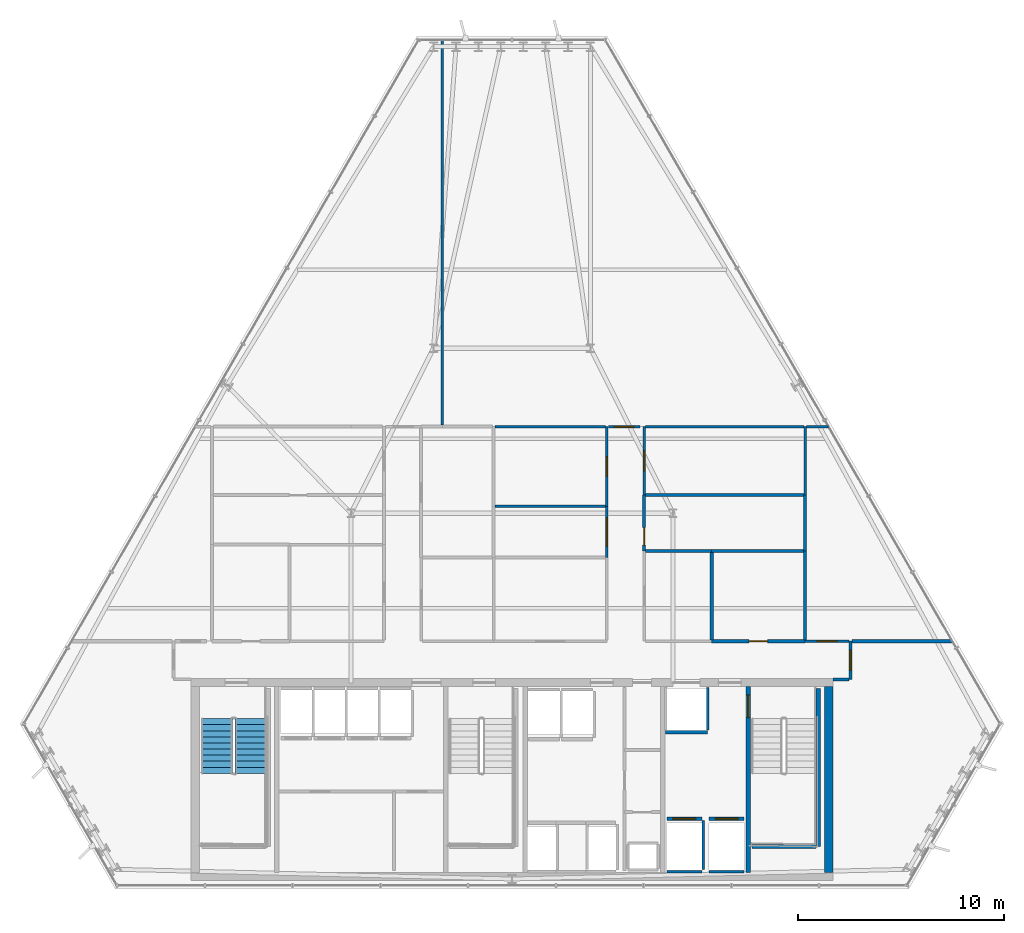
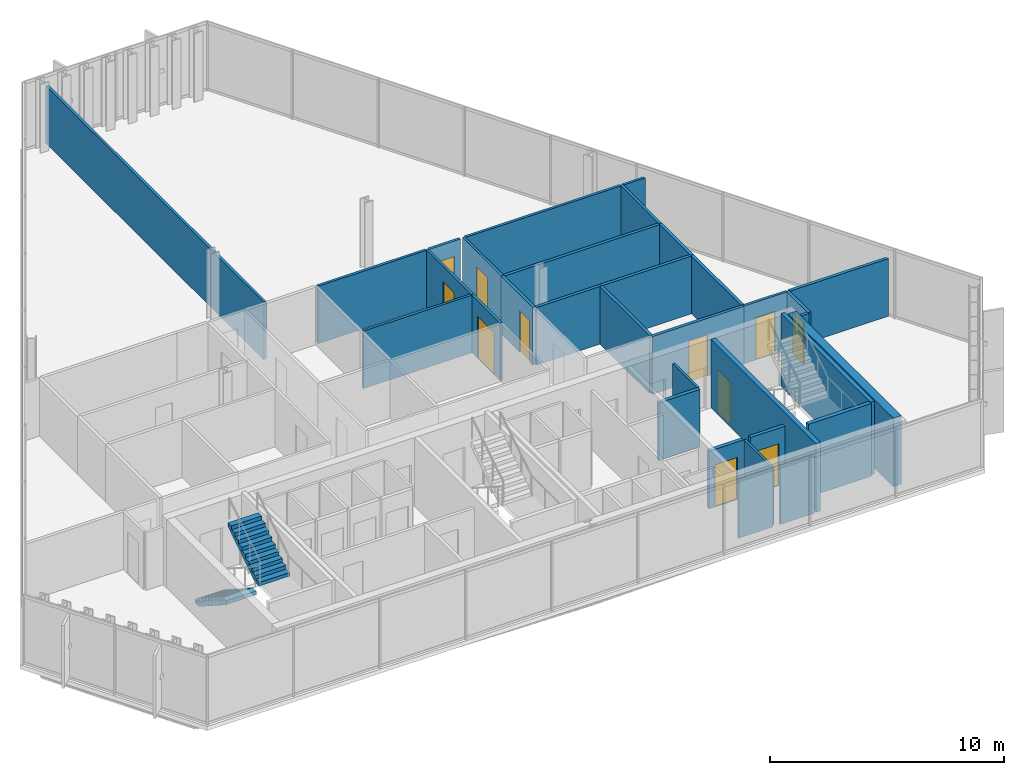
# One storey, part 29 of 34: 33 walls, 11 doors, 2 stair flights, 11 openings, 1 element without a shape of its own.
"""IFC4 building model written with IfcOpenShell, lengths in metres."""

from ifc_helpers import new_model, si_unit, direction, frame, frame_2d, origin, place, context, subcontext, project, spatial, polyline, rectangle, outline, extrude, material, layer, layer_set, type_object, element, fill, aggregate, save


model = new_model("IFC4")

# Units and contexts
model_context = context("Model", 3, precision=1e-05, world=origin(), true_north=direction((0.0, 1.0)))
body_context = subcontext(model_context, "Body", "Model", "MODEL_VIEW")
ifc_project = project(units=[si_unit("LENGTHUNIT", "METRE"), si_unit("AREAUNIT", "SQUARE_METRE"), si_unit("VOLUMEUNIT", "CUBIC_METRE"), si_unit("PLANEANGLEUNIT", "RADIAN"), si_unit("MASSUNIT", "GRAM", prefix="KILO")], contexts=[model_context])

# Site, building, storey
site_placement = place(None, origin())
site = spatial("IfcSite", under=ifc_project, at=site_placement, CompositionType="ELEMENT")
building_placement = place(site_placement, origin())
building = spatial("IfcBuilding", under=site, at=building_placement, Name="Ndaravel Arena Tower", CompositionType="ELEMENT")
storey_placement = place(building_placement, frame((0.0, 0.0, 195.39990234375)))
storey = spatial("IfcBuildingStorey", under=building, at=storey_placement, Name="L47", CompositionType="ELEMENT", Elevation=195.39990234375)

# Wall, opening, door
ifc_material_1 = material(Name="Concrete C50/60", Category="concrete")
ifc_layer_1 = layer(ifc_material_1, 0.219970703125)
ifc_layer_set_1 = layer_set([ifc_layer_1], Name="Concrete C50/60")
wall_type_1 = type_object("IfcWallType", Name="WALL-CORE-220", PredefinedType="SOLIDWALL", material=ifc_layer_set_1)
wall_1_placement = place(storey_placement, frame((53.449951171875, 5.800048828125, 0.0), z_axis=(0.0, 0.0, 1.0), x_axis=(0.0, 1.0, 0.0)))
wall_1 = element("IfcWall", 1, at=wall_1_placement, inside=storey, type_object=wall_type_1, Name="L47 Core Web Shear Wall 5", PredefinedType="SOLIDWALL", context=body_context, shape_type="SweptSolid", body=[
    extrude(rectangle(XDim=9.0, YDim=0.219970703125, at=frame_2d((4.5, 0.0))), origin(), (0.0, 0.0, 1.0), 3.580078125),
])
opening_1_placement = place(wall_1_placement, frame((7.5, 0.0, 0.0)))
opening_1 = element("IfcOpeningElement", 2, at=opening_1_placement, cuts=wall_1, Name="Opening FD-01", PredefinedType="OPENING", context=body_context, shape_type="SweptSolid", body=[
    extrude(rectangle(XDim=1.10009765625, YDim=2.199951171875, at=frame_2d((0.550048828125, 1.10009765625))), frame((0.0, 0.10986328125, 0.0), z_axis=(0.0, -1.0, 0.0), x_axis=(1.0, 0.0, 0.0)), (0.0, 0.0, 1.0), 0.219970703125),
])
ifc_material_2 = material(Name="Steel S355", Category="steel")
door_type_1 = type_object("IfcDoorType", Name="DT-01-STAIR-1100", OperationType="SINGLE_SWING_LEFT", PredefinedType="DOOR", material=ifc_material_2)
door_1_placement = place(opening_1_placement, origin())
door_1 = element("IfcDoor", 3, at=door_1_placement, inside=storey, type_object=door_type_1, Name="L47 Firefighting Lobby to ST-3 Door", OperationType="SINGLE_SWING_LEFT", OverallHeight=2.199951171875, OverallWidth=1.10009765625, PredefinedType="DOOR", context=body_context, shape_type="SweptSolid", body=[
    extrude(rectangle(XDim=1.10009765625, YDim=2.199951171875, at=frame_2d((0.550048828125, 1.10009765625))), frame((0.0, 0.02490234375, 0.0), z_axis=(0.0, -1.0, 0.0), x_axis=(1.0, 0.0, 0.0)), (0.0, 0.0, 1.0), 0.050048828125),
])
fill(opening_1, door_1)

# Wall
ifc_material_3 = material(Name="Concrete C50/60", Category="concrete")
ifc_layer_2 = layer(ifc_material_3, 0.39990234375)
ifc_layer_set_2 = layer_set([ifc_layer_2], Name="Concrete C50/60")
wall_type_2 = type_object("IfcWallType", Name="WALL-CORE-400", PredefinedType="SOLIDWALL", material=ifc_layer_set_2)
wall_2_placement = place(storey_placement, frame((57.35009765625, 5.800048828125, 0.0), z_axis=(0.0, 0.0, 1.0), x_axis=(0.0, 1.0, 0.0)))
element("IfcWall", 4, at=wall_2_placement, inside=storey, type_object=wall_type_2, Name="L47 Core East Shear Wall", PredefinedType="SOLIDWALL", context=body_context, shape_type="SweptSolid", body=[
    extrude(rectangle(XDim=9.0, YDim=0.39990234375, at=frame_2d((4.5, 0.0))), origin(), (0.0, 0.0, 1.0), 3.580078125),
])

# Wall, opening, door
ifc_material_4 = material(Name="Gypsum", Category="gypsum")
ifc_layer_3 = layer(ifc_material_4, 0.125)
ifc_layer_set_3 = layer_set([ifc_layer_3], Name="Gypsum")
wall_type_3 = type_object("IfcWallType", Name="WALL-PART-125", PredefinedType="PARTITIONING", material=ifc_layer_set_3)
wall_3_placement = place(storey_placement, frame((46.60009765625, 21.055908203125, 0.0), z_axis=(0.0, 0.0, 1.0), x_axis=(0.0, 1.0, 0.0)))
wall_3 = element("IfcWall", 5, at=wall_3_placement, inside=storey, type_object=wall_type_3, Name="L47 Interior Partition 017", PredefinedType="PARTITIONING", context=body_context, shape_type="SweptSolid", body=[
    extrude(rectangle(XDim=2.474365234375, YDim=0.125, at=frame_2d((1.2373046875, 0.0))), origin(), (0.0, 0.0, 1.0), 3.010498046875),
])
opening_2_placement = place(wall_3_placement, frame((0.537109375, 0.0, 0.0)))
opening_2 = element("IfcOpeningElement", 6, at=opening_2_placement, cuts=wall_3, Name="Opening ID-02", PredefinedType="OPENING", context=body_context, shape_type="SweptSolid", body=[
    extrude(rectangle(XDim=1.39990234375, YDim=2.199951171875, at=frame_2d((0.699951171875, 1.10009765625))), frame((0.0, 0.0625, 0.0), z_axis=(0.0, -1.0, 0.0), x_axis=(1.0, 0.0, 0.0)), (0.0, 0.0, 1.0), 0.125),
])
ifc_material_5 = material(Name="Timber", Category="wood")
door_type_2 = type_object("IfcDoorType", Name="DT-04-SUITE-1400", OperationType="DOUBLE_DOOR_SINGLE_SWING", PredefinedType="DOOR", material=ifc_material_5)
door_2_placement = place(opening_2_placement, origin())
door_2 = element("IfcDoor", 7, at=door_2_placement, inside=storey, type_object=door_type_2, Name="L47 Executive Dining Lounge 4 Door", OperationType="SINGLE_SWING_RIGHT", OverallHeight=2.199951171875, OverallWidth=1.39990234375, PredefinedType="DOOR", context=body_context, shape_type="SweptSolid", body=[
    extrude(rectangle(XDim=1.39990234375, YDim=2.199951171875, at=frame_2d((0.699951171875, 1.10009765625))), frame((0.0, 0.02490234375, 0.0), z_axis=(0.0, -1.0, 0.0), x_axis=(1.0, 0.0, 0.0)), (0.0, 0.0, 1.0), 0.050048828125),
])
fill(opening_2, door_2)

wall_4_placement = place(storey_placement, frame((46.60009765625, 23.5302734375, 0.0), z_axis=(0.0, 0.0, 1.0), x_axis=(0.0, 1.0, 0.0)))
wall_4 = element("IfcWall", 8, at=wall_4_placement, inside=storey, type_object=wall_type_3, Name="L47 Interior Partition 018", PredefinedType="PARTITIONING", context=body_context, shape_type="SweptSolid", body=[
    extrude(rectangle(XDim=3.86962890625, YDim=0.125, at=frame_2d((1.934814453125, 0.0))), origin(), (0.0, 0.0, 1.0), 3.010498046875),
])
opening_3_placement = place(wall_4_placement, frame((1.4599609375, 0.0, 0.0)))
opening_3 = element("IfcOpeningElement", 9, at=opening_3_placement, cuts=wall_4, Name="Opening ID-01", PredefinedType="OPENING", context=body_context, shape_type="SweptSolid", body=[
    extrude(rectangle(XDim=0.949951171875, YDim=2.199951171875, at=frame_2d((0.47509765625, 1.10009765625))), frame((0.0, 0.0625, 0.0), z_axis=(0.0, -1.0, 0.0), x_axis=(1.0, 0.0, 0.0)), (0.0, 0.0, 1.0), 0.125),
])
ifc_material_6 = material(Name="Timber", Category="wood")
door_type_3 = type_object("IfcDoorType", Name="DT-03-OFFICE-950", OperationType="SINGLE_SWING_LEFT", PredefinedType="DOOR", material=ifc_material_6)
door_3_placement = place(opening_3_placement, origin())
door_3 = element("IfcDoor", 10, at=door_3_placement, inside=storey, type_object=door_type_3, Name="L47 Hospitality Sitting Room 6 Door", OperationType="SINGLE_SWING_RIGHT", OverallHeight=2.199951171875, OverallWidth=0.949951171875, PredefinedType="DOOR", context=body_context, shape_type="SweptSolid", body=[
    extrude(rectangle(XDim=0.949951171875, YDim=2.199951171875, at=frame_2d((0.47509765625, 1.10009765625))), frame((0.0, 0.02490234375, 0.0), z_axis=(0.0, -1.0, 0.0), x_axis=(1.0, 0.0, 0.0)), (0.0, 0.0, 1.0), 0.050048828125),
])
fill(opening_3, door_3)

wall_5_placement = place(storey_placement, frame((46.6650390625, 27.39990234375, 0.0), z_axis=(0.0, 0.0, 1.0), x_axis=(1.0, 0.0, 0.0)))
wall_5 = element("IfcWall", 11, at=wall_5_placement, inside=storey, type_object=wall_type_3, Name="L47 Interior Partition 019", PredefinedType="PARTITIONING", context=body_context, shape_type="SweptSolid", body=[
    extrude(rectangle(XDim=1.534912109375, YDim=0.125, at=frame_2d((0.767578125, 0.0))), origin(), (0.0, 0.0, 1.0), 3.010498046875),
])
opening_4_placement = place(wall_5_placement, frame((0.29248046875, 0.0, 0.0)))
opening_4 = element("IfcOpeningElement", 12, at=opening_4_placement, cuts=wall_5, Name="Opening ID-01", PredefinedType="OPENING", context=body_context, shape_type="SweptSolid", body=[
    extrude(rectangle(XDim=0.949951171875, YDim=2.199951171875, at=frame_2d((0.47509765625, 1.10009765625))), frame((0.0, 0.0625, 0.0), z_axis=(0.0, -1.0, 0.0), x_axis=(1.0, 0.0, 0.0)), (0.0, 0.0, 1.0), 0.125),
])
door_4_placement = place(opening_4_placement, origin())
door_4 = element("IfcDoor", 13, at=door_4_placement, inside=storey, type_object=door_type_3, Name="L47 Executive Dining Lounge 8 Door", OperationType="SINGLE_SWING_RIGHT", OverallHeight=2.199951171875, OverallWidth=0.949951171875, PredefinedType="DOOR", context=body_context, shape_type="SweptSolid", body=[
    extrude(rectangle(XDim=0.949951171875, YDim=2.199951171875, at=frame_2d((0.47509765625, 1.10009765625))), frame((0.0, 0.02490234375, 0.0), z_axis=(0.0, -1.0, 0.0), x_axis=(1.0, 0.0, 0.0)), (0.0, 0.0, 1.0), 0.050048828125),
])
fill(opening_4, door_4)

wall_6_placement = place(storey_placement, frame((48.39990234375, 27.39990234375, 0.0), z_axis=(0.0, 0.0, 1.0), x_axis=(0.0, -1.0, 0.0)))
wall_6 = element("IfcWall", 14, at=wall_6_placement, inside=storey, type_object=wall_type_3, Name="L47 Interior Partition 020", PredefinedType="PARTITIONING", context=body_context, shape_type="SweptSolid", body=[
    extrude(rectangle(XDim=3.3173828125, YDim=0.125, at=frame_2d((1.65869140625, 0.0))), origin(), (0.0, 0.0, 1.0), 3.010498046875),
])
opening_5_placement = place(wall_6_placement, frame((1.183837890625, 0.0, 0.0)))
opening_5 = element("IfcOpeningElement", 15, at=opening_5_placement, cuts=wall_6, Name="Opening ID-01", PredefinedType="OPENING", context=body_context, shape_type="SweptSolid", body=[
    extrude(rectangle(XDim=0.949951171875, YDim=2.199951171875, at=frame_2d((0.47509765625, 1.10009765625))), frame((0.0, 0.0625, 0.0), z_axis=(0.0, -1.0, 0.0), x_axis=(1.0, 0.0, 0.0)), (0.0, 0.0, 1.0), 0.125),
])
door_5_placement = place(opening_5_placement, origin())
door_5 = element("IfcDoor", 16, at=door_5_placement, inside=storey, type_object=door_type_3, Name="L47 Quiet Study Room 7 Door", OperationType="SINGLE_SWING_RIGHT", OverallHeight=2.199951171875, OverallWidth=0.949951171875, PredefinedType="DOOR", context=body_context, shape_type="SweptSolid", body=[
    extrude(rectangle(XDim=0.949951171875, YDim=2.199951171875, at=frame_2d((0.47509765625, 1.10009765625))), frame((0.0, 0.02490234375, 0.0), z_axis=(0.0, -1.0, 0.0), x_axis=(1.0, 0.0, 0.0)), (0.0, 0.0, 1.0), 0.050048828125),
])
fill(opening_5, door_5)

wall_7_placement = place(storey_placement, frame((56.199951171875, 17.0, 0.0), z_axis=(0.0, 0.0, 1.0), x_axis=(1.0, 0.0, 0.0)))
wall_7 = element("IfcWall", 17, at=wall_7_placement, inside=storey, type_object=wall_type_3, Name="L47 Interior Partition 025", PredefinedType="PARTITIONING", context=body_context, shape_type="SweptSolid", body=[
    extrude(rectangle(XDim=2.135009765625, YDim=0.125, at=frame_2d((1.0673828125, 0.0))), origin(), (0.0, 0.0, 1.0), 3.010498046875),
])
opening_6_placement = place(wall_7_placement, frame((0.592529296875, 0.0, 0.0)))
opening_6 = element("IfcOpeningElement", 18, at=opening_6_placement, cuts=wall_7, Name="Opening ID-01", PredefinedType="OPENING", context=body_context, shape_type="SweptSolid", body=[
    extrude(rectangle(XDim=0.949951171875, YDim=2.199951171875, at=frame_2d((0.47509765625, 1.10009765625))), frame((0.0, 0.0625, 0.0), z_axis=(0.0, -1.0, 0.0), x_axis=(1.0, 0.0, 0.0)), (0.0, 0.0, 1.0), 0.125),
])
door_6_placement = place(opening_6_placement, origin())
door_6 = element("IfcDoor", 19, at=door_6_placement, inside=storey, type_object=door_type_3, Name="L47 Barista Galley 3 Door", OperationType="SINGLE_SWING_LEFT", OverallHeight=2.199951171875, OverallWidth=0.949951171875, PredefinedType="DOOR", context=body_context, shape_type="SweptSolid", body=[
    extrude(rectangle(XDim=0.949951171875, YDim=2.199951171875, at=frame_2d((0.47509765625, 1.10009765625))), frame((0.0, 0.02490234375, 0.0), z_axis=(0.0, -1.0, 0.0), x_axis=(1.0, 0.0, 0.0)), (0.0, 0.0, 1.0), 0.050048828125),
])
fill(opening_6, door_6)

# Walls
wall_8_placement = place(storey_placement, frame((56.199951171875, 24.08251953125, 0.0), z_axis=(0.0, 0.0, 1.0), x_axis=(0.0, 1.0, 0.0)))
element("IfcWall", 20, at=wall_8_placement, inside=storey, type_object=wall_type_3, Name="L47 Interior Partition 042", PredefinedType="PARTITIONING", context=body_context, shape_type="SweptSolid", body=[
    extrude(rectangle(XDim=3.3173828125, YDim=0.125, at=frame_2d((1.65869140625, 0.0))), origin(), (0.0, 0.0, 1.0), 3.010498046875),
])
wall_9_placement = place(storey_placement, frame((56.264892578125, 27.39990234375, 0.0), z_axis=(0.0, 0.0, 1.0), x_axis=(1.0, 0.0, 0.0)))
element("IfcWall", 21, at=wall_9_placement, inside=storey, type_object=wall_type_3, Name="L47 Interior Partition 043", PredefinedType="PARTITIONING", context=body_context, shape_type="SweptSolid", body=[
    extrude(rectangle(XDim=1.069580078125, YDim=0.125, at=frame_2d((0.53466796875, 0.0))), origin(), (0.0, 0.0, 1.0), 3.010498046875),
])
for number, where, z_axis, x_axis, name in (
    (22, (41.175048828125, 23.5302734375, 0.0), (0.0, 0.0, 1.0), (1.0, 0.0, 0.0), "L47 Interior Partition 045"),
    (23, (41.175048828125, 27.39990234375, 0.0), (0.0, 0.0, 1.0), (1.0, 0.0, 0.0), "L47 Interior Partition 051"),
):
    element("IfcWall", number, at=place(storey_placement, frame(where, z_axis=z_axis, x_axis=x_axis)), inside=storey, type_object=wall_type_3, Name=name, PredefinedType="PARTITIONING", context=body_context, shape_type="SweptSolid", body=[
        extrude(rectangle(XDim=5.35986328125, YDim=0.125, at=frame_2d((2.679931640625, 0.0))), origin(), (0.0, 0.0, 1.0), 3.010498046875),
    ])
wall_10_placement = place(storey_placement, frame((48.465087890625, 27.39990234375, 0.0), z_axis=(0.0, 0.0, 1.0), x_axis=(1.0, 0.0, 0.0)))
element("IfcWall", 24, at=wall_10_placement, inside=storey, type_object=wall_type_3, Name="L47 Interior Partition 054", PredefinedType="PARTITIONING", context=body_context, shape_type="SweptSolid", body=[
    extrude(rectangle(XDim=7.669921875, YDim=0.125, at=frame_2d((3.8349609375, 0.0))), origin(), (0.0, 0.0, 1.0), 3.010498046875),
])
wall_11_placement = place(storey_placement, frame((38.62646484375, 46.1259765625, 0.0), z_axis=(0.0, 0.0, 1.0), x_axis=(0.0, -1.0, 0.0)))
element("IfcWall", 25, at=wall_11_placement, inside=storey, type_object=wall_type_3, Name="L47 Interior Partition 056", PredefinedType="PARTITIONING", context=body_context, shape_type="SweptSolid", body=[
    extrude(rectangle(XDim=18.660888671875, YDim=0.125, at=frame_2d((9.33056640625, 0.0))), origin(), (0.0, 0.0, 1.0), 3.010498046875),
])
ifc_material_7 = material(Name="Concrete C40/50", Category="concrete")
ifc_layer_4 = layer(ifc_material_7, 0.1201171875)
ifc_layer_set_4 = layer_set([ifc_layer_4], Name="Concrete C40/50")
wall_type_4 = type_object("IfcWallType", Name="WALL-SHAFT-120", PredefinedType="SOLIDWALL", material=ifc_layer_set_4)
wall_12_placement = place(storey_placement, frame((49.5048828125, 5.840087890625, 0.0), z_axis=(0.0, 0.0, 1.0), x_axis=(1.0, 0.0, 0.0)))
element("IfcWall", 26, at=wall_12_placement, inside=storey, type_object=wall_type_4, Name="L47 FFL-1 Shaft Rear Wall", PredefinedType="SOLIDWALL", context=body_context, shape_type="SweptSolid", body=[
    extrude(rectangle(XDim=1.690185546875, YDim=0.1201171875, at=frame_2d((0.84521484375, 0.0))), origin(), (0.0, 0.0, 1.0), 3.010498046875),
])
wall_13_placement = place(storey_placement, frame((51.27490234375, 5.929931640625, 0.0), z_axis=(0.0, 0.0, 1.0), x_axis=(0.0, 1.0, 0.0)))
element("IfcWall", 27, at=wall_13_placement, inside=storey, type_object=wall_type_4, Name="L47 FFL-1 Shaft Side R Wall", PredefinedType="SOLIDWALL", context=body_context, shape_type="SweptSolid", body=[
    extrude(rectangle(XDim=2.380126953125, YDim=0.1201171875, at=frame_2d((1.18994140625, 0.0))), origin(), (0.0, 0.0, 1.0), 3.010498046875),
])
wall_14_placement = place(storey_placement, frame((51.554931640625, 5.840087890625, 0.0), z_axis=(0.0, 0.0, 1.0), x_axis=(1.0, 0.0, 0.0)))
element("IfcWall", 28, at=wall_14_placement, inside=storey, type_object=wall_type_4, Name="L47 FFL-2 Shaft Rear Wall", PredefinedType="SOLIDWALL", context=body_context, shape_type="SweptSolid", body=[
    extrude(rectangle(XDim=1.690185546875, YDim=0.1201171875, at=frame_2d((0.84521484375, 0.0))), origin(), (0.0, 0.0, 1.0), 3.010498046875),
])
wall_15_placement = place(storey_placement, frame((51.47998046875, 12.68994140625, 0.0), z_axis=(0.0, 0.0, 1.0), x_axis=(0.0, 1.0, 0.0)))
element("IfcWall", 29, at=wall_15_placement, inside=storey, type_object=wall_type_4, Name="L47 SVL-1 Shaft E Wall", PredefinedType="SOLIDWALL", context=body_context, shape_type="SweptSolid", body=[
    extrude(rectangle(XDim=2.070068359375, YDim=0.1201171875, at=frame_2d((1.03515625, 0.0))), origin(), (0.0, 0.0, 1.0), 3.010498046875),
])
ifc_material_8 = material(Name="Concrete C40/50", Category="concrete")
ifc_layer_5 = layer(ifc_material_8, 0.199951171875)
ifc_layer_set_5 = layer_set([ifc_layer_5], Name="Concrete C40/50")
wall_type_5 = type_object("IfcWallType", Name="WALL-SHAFT-200", PredefinedType="SOLIDWALL", material=ifc_layer_set_5)
wall_16_placement = place(storey_placement, frame((56.840087890625, 14.699951171875, 0.0), z_axis=(0.0, 0.0, 1.0), x_axis=(0.0, -1.0, 0.0)))
element("IfcWall", 30, at=wall_16_placement, inside=storey, type_object=wall_type_5, Name="L47 ST-3 Structural Shaft Wall Right", PredefinedType="SOLIDWALL", context=body_context, shape_type="SweptSolid", body=[
    extrude(rectangle(XDim=7.64990234375, YDim=0.199951171875, at=frame_2d((3.824951171875, 0.0))), origin(), (0.0, 0.0, 1.0), 3.800048828125),
])
wall_17_placement = place(storey_placement, frame((53.6201171875, 7.050048828125, 0.0), z_axis=(0.0, 0.0, 1.0), x_axis=(1.0, 0.0, 0.0)))
element("IfcWall", 31, at=wall_17_placement, inside=storey, type_object=wall_type_5, Name="L47 ST-3 Structural Shaft Wall Far", PredefinedType="SOLIDWALL", context=body_context, shape_type="SweptSolid", body=[
    extrude(rectangle(XDim=3.114990234375, YDim=0.199951171875, at=frame_2d((1.5576171875, 0.0))), origin(), (0.0, 0.0, 1.0), 3.800048828125),
])

# Wall, opening, door
wall_18_placement = place(storey_placement, frame((49.5048828125, 8.39990234375, 0.0), z_axis=(0.0, 0.0, 1.0), x_axis=(1.0, 0.0, 0.0)))
wall_18 = element("IfcWall", 32, at=wall_18_placement, inside=storey, type_object=wall_type_5, Name="L47 FFL-1 Shaft Landing Wall", PredefinedType="SOLIDWALL", context=body_context, shape_type="SweptSolid", body=[
    extrude(rectangle(XDim=1.690185546875, YDim=0.179931640625, at=frame_2d((0.84521484375, 0.0))), origin(), (0.0, 0.0, 1.0), 3.010498046875),
])
opening_7_placement = place(wall_18_placement, frame((0.294921875, 0.0, 0.0)))
opening_7 = element("IfcOpeningElement", 33, at=opening_7_placement, cuts=wall_18, Name="Opening LD-01", PredefinedType="OPENING", context=body_context, shape_type="SweptSolid", body=[
    extrude(rectangle(XDim=1.10009765625, YDim=2.199951171875, at=frame_2d((0.550048828125, 1.10009765625))), frame((0.0, 0.08984375, 0.0), z_axis=(0.0, -1.0, 0.0), x_axis=(1.0, 0.0, 0.0)), (0.0, 0.0, 1.0), 0.179931640625),
])
ifc_material_9 = material(Name="Steel S355", Category="steel")
door_type_4 = type_object("IfcDoorType", Name="DT-06-LIFT-1100", OperationType="SLIDING_TO_LEFT", PredefinedType="DOOR", material=ifc_material_9)
door_7_placement = place(opening_7_placement, origin())
door_7 = element("IfcDoor", 34, at=door_7_placement, inside=storey, type_object=door_type_4, Name="L47 Lift FFL-1 Sliding Landing Door", OperationType="SLIDING_TO_LEFT", OverallHeight=2.199951171875, OverallWidth=1.10009765625, PredefinedType="DOOR", context=body_context, shape_type="SweptSolid", body=[
    extrude(rectangle(XDim=1.10009765625, YDim=2.199951171875, at=frame_2d((0.550048828125, 1.10009765625))), frame((0.0, 0.02490234375, 0.0), z_axis=(0.0, -1.0, 0.0), x_axis=(1.0, 0.0, 0.0)), (0.0, 0.0, 1.0), 0.050048828125),
])
fill(opening_7, door_7)

wall_19_placement = place(storey_placement, frame((51.554931640625, 8.39990234375, 0.0), z_axis=(0.0, 0.0, 1.0), x_axis=(1.0, 0.0, 0.0)))
wall_19 = element("IfcWall", 35, at=wall_19_placement, inside=storey, type_object=wall_type_5, Name="L47 FFL-2 Shaft Landing Wall", PredefinedType="SOLIDWALL", context=body_context, shape_type="SweptSolid", body=[
    extrude(rectangle(XDim=1.690185546875, YDim=0.179931640625, at=frame_2d((0.84521484375, 0.0))), origin(), (0.0, 0.0, 1.0), 3.010498046875),
])
opening_8_placement = place(wall_19_placement, frame((0.294921875, 0.0, 0.0)))
opening_8 = element("IfcOpeningElement", 36, at=opening_8_placement, cuts=wall_19, Name="Opening LD-01", PredefinedType="OPENING", context=body_context, shape_type="SweptSolid", body=[
    extrude(rectangle(XDim=1.10009765625, YDim=2.199951171875, at=frame_2d((0.550048828125, 1.10009765625))), frame((0.0, 0.08984375, 0.0), z_axis=(0.0, -1.0, 0.0), x_axis=(1.0, 0.0, 0.0)), (0.0, 0.0, 1.0), 0.179931640625),
])
door_8_placement = place(opening_8_placement, origin())
door_8 = element("IfcDoor", 37, at=door_8_placement, inside=storey, type_object=door_type_4, Name="L47 Lift FFL-2 Sliding Landing Door", OperationType="SLIDING_TO_LEFT", OverallHeight=2.199951171875, OverallWidth=1.10009765625, PredefinedType="DOOR", context=body_context, shape_type="SweptSolid", body=[
    extrude(rectangle(XDim=1.10009765625, YDim=2.199951171875, at=frame_2d((0.550048828125, 1.10009765625))), frame((0.0, 0.02490234375, 0.0), z_axis=(0.0, -1.0, 0.0), x_axis=(1.0, 0.0, 0.0)), (0.0, 0.0, 1.0), 0.050048828125),
])
fill(opening_8, door_8)

# Wall
wall_20_placement = place(storey_placement, frame((49.43994140625, 12.594970703125, 0.0), z_axis=(0.0, 0.0, 1.0), x_axis=(1.0, 0.0, 0.0)))
element("IfcWall", 38, at=wall_20_placement, inside=storey, type_object=wall_type_5, Name="L47 SVL-1 Shaft South Wall", PredefinedType="SOLIDWALL", context=body_context, shape_type="SweptSolid", body=[
    extrude(rectangle(XDim=2.0400390625, YDim=0.179931640625, at=frame_2d((1.02001953125, 0.0))), origin(), (0.0, 0.0, 1.0), 3.010498046875),
])

# Wall, opening, door
ifc_material_10 = material(Name="Masonry", Category="masonry")
ifc_layer_6 = layer(ifc_material_10, 0.14990234375)
ifc_layer_set_6 = layer_set([ifc_layer_6], Name="Masonry")
wall_type_6 = type_object("IfcWallType", Name="WALL-WET-150", PredefinedType="PARTITIONING", material=ifc_layer_set_6)
wall_21_placement = place(storey_placement, frame((58.39990234375, 17.0, 0.0), z_axis=(0.0, 0.0, 1.0), x_axis=(0.0, -1.0, 0.0)))
wall_21 = element("IfcWall", 39, at=wall_21_placement, inside=storey, type_object=wall_type_6, Name="L47 Interior Partition 001", PredefinedType="PARTITIONING", context=body_context, shape_type="SweptSolid", body=[
    extrude(rectangle(XDim=1.85009765625, YDim=0.14990234375, at=frame_2d((0.925048828125, 0.0))), origin(), (0.0, 0.0, 1.0), 3.010498046875),
])
opening_9_placement = place(wall_21_placement, frame((0.449951171875, 0.0, 0.0)))
opening_9 = element("IfcOpeningElement", 40, at=opening_9_placement, cuts=wall_21, Name="Opening FD-03", PredefinedType="OPENING", context=body_context, shape_type="SweptSolid", body=[
    extrude(rectangle(XDim=0.949951171875, YDim=2.199951171875, at=frame_2d((0.47509765625, 1.10009765625))), frame((0.0, 0.074951171875, 0.0), z_axis=(0.0, -1.0, 0.0), x_axis=(1.0, 0.0, 0.0)), (0.0, 0.0, 1.0), 0.14990234375),
])
ifc_material_11 = material(Name="Steel S355", Category="steel")
door_type_5 = type_object("IfcDoorType", Name="DT-11-CORE-950", OperationType="SINGLE_SWING_LEFT", PredefinedType="DOOR", material=ifc_material_11)
door_9_placement = place(opening_9_placement, origin())
door_9 = element("IfcDoor", 41, at=door_9_placement, inside=storey, type_object=door_type_5, Name="L47 Staff Espresso Kitchen Door", OperationType="SINGLE_SWING_LEFT", OverallHeight=2.199951171875, OverallWidth=0.949951171875, PredefinedType="DOOR", context=body_context, shape_type="SweptSolid", body=[
    extrude(rectangle(XDim=0.949951171875, YDim=2.199951171875, at=frame_2d((0.47509765625, 1.10009765625))), frame((0.0, 0.02490234375, 0.0), z_axis=(0.0, -1.0, 0.0), x_axis=(1.0, 0.0, 0.0)), (0.0, 0.0, 1.0), 0.050048828125),
])
fill(opening_9, door_9)

# Wall
wall_22_placement = place(storey_placement, frame((58.3349609375, 15.14990234375, 0.0), z_axis=(0.0, 0.0, 1.0), x_axis=(-1.0, 0.0, 0.0)))
element("IfcWall", 42, at=wall_22_placement, inside=storey, type_object=wall_type_6, Name="L47 Interior Partition 002", PredefinedType="PARTITIONING", context=body_context, shape_type="SweptSolid", body=[
    extrude(rectangle(XDim=0.784912109375, YDim=0.14990234375, at=frame_2d((0.392578125, 0.0))), origin(), (0.0, 0.0, 1.0), 3.010498046875),
])

# Wall, opening, door
wall_23_placement = place(storey_placement, frame((48.39990234375, 24.08251953125, 0.0), z_axis=(0.0, 0.0, 1.0), x_axis=(0.0, -1.0, 0.0)))
wall_23 = element("IfcWall", 43, at=wall_23_placement, inside=storey, type_object=wall_type_6, Name="L47 Interior Partition 021", PredefinedType="PARTITIONING", context=body_context, shape_type="SweptSolid", body=[
    extrude(rectangle(XDim=2.714599609375, YDim=0.14990234375, at=frame_2d((1.357421875, 0.0))), origin(), (0.0, 0.0, 1.0), 3.010498046875),
])
opening_10_placement = place(wall_23_placement, frame((1.582275390625, 0.0, 0.0)))
opening_10 = element("IfcOpeningElement", 44, at=opening_10_placement, cuts=wall_23, Name="Opening ID-03", PredefinedType="OPENING", context=body_context, shape_type="SweptSolid", body=[
    extrude(rectangle(XDim=0.85009765625, YDim=2.14990234375, at=frame_2d((0.425048828125, 1.074951171875))), frame((0.0, 0.074951171875, 0.0), z_axis=(0.0, -1.0, 0.0), x_axis=(1.0, 0.0, 0.0)), (0.0, 0.0, 1.0), 0.14990234375),
])
ifc_material_12 = material(Name="Timber", Category="wood")
door_type_6 = type_object("IfcDoorType", Name="DT-12-SUB-850", OperationType="SINGLE_SWING_LEFT", PredefinedType="DOOR", material=ifc_material_12)
door_10_placement = place(opening_10_placement, origin())
door_10 = element("IfcDoor", 45, at=door_10_placement, inside=storey, type_object=door_type_6, Name="L47 Floor Servery Kitchen 4 Door", OperationType="SINGLE_SWING_LEFT", OverallHeight=2.14990234375, OverallWidth=0.85009765625, PredefinedType="DOOR", context=body_context, shape_type="SweptSolid", body=[
    extrude(rectangle(XDim=0.85009765625, YDim=2.14990234375, at=frame_2d((0.425048828125, 1.074951171875))), frame((0.0, 0.02490234375, 0.0), z_axis=(0.0, -1.0, 0.0), x_axis=(1.0, 0.0, 0.0)), (0.0, 0.0, 1.0), 0.050048828125),
])
fill(opening_10, door_10)

wall_24_placement = place(storey_placement, frame((51.676025390625, 17.0, 0.0), z_axis=(0.0, 0.0, 1.0), x_axis=(1.0, 0.0, 0.0)))
wall_24 = element("IfcWall", 46, at=wall_24_placement, inside=storey, type_object=wall_type_6, Name="L47 Interior Partition 024", PredefinedType="PARTITIONING", context=body_context, shape_type="SweptSolid", body=[
    extrude(rectangle(XDim=4.52392578125, YDim=0.14990234375, at=frame_2d((2.261962890625, 0.0))), origin(), (0.0, 0.0, 1.0), 3.010498046875),
])
opening_11_placement = place(wall_24_placement, frame((1.81201171875, 0.0, 0.0)))
opening_11 = element("IfcOpeningElement", 47, at=opening_11_placement, cuts=wall_24, Name="Opening WD-01", PredefinedType="OPENING", context=body_context, shape_type="SweptSolid", body=[
    extrude(rectangle(XDim=0.89990234375, YDim=2.14990234375, at=frame_2d((0.449951171875, 1.074951171875))), frame((0.0, 0.074951171875, 0.0), z_axis=(0.0, -1.0, 0.0), x_axis=(1.0, 0.0, 0.0)), (0.0, 0.0, 1.0), 0.14990234375),
])
ifc_material_13 = material(Name="Timber", Category="wood")
door_type_7 = type_object("IfcDoorType", Name="DT-05-WC-900", OperationType="SINGLE_SWING_LEFT", PredefinedType="DOOR", material=ifc_material_13)
door_11_placement = place(opening_11_placement, origin())
door_11 = element("IfcDoor", 48, at=door_11_placement, inside=storey, type_object=door_type_7, Name="L47 Male Staff & Visitor Restroom Door", OperationType="SINGLE_SWING_LEFT", OverallHeight=2.14990234375, OverallWidth=0.89990234375, PredefinedType="DOOR", context=body_context, shape_type="SweptSolid", body=[
    extrude(rectangle(XDim=0.89990234375, YDim=2.14990234375, at=frame_2d((0.449951171875, 1.074951171875))), frame((0.0, 0.02490234375, 0.0), z_axis=(0.0, -1.0, 0.0), x_axis=(1.0, 0.0, 0.0)), (0.0, 0.0, 1.0), 0.050048828125),
])
fill(opening_11, door_11)

# Walls
wall_25_placement = place(storey_placement, frame((58.465087890625, 17.0, 0.0), z_axis=(0.0, 0.0, 1.0), x_axis=(1.0, 0.0, 0.0)))
element("IfcWall", 49, at=wall_25_placement, inside=storey, type_object=wall_type_6, Name="L47 Interior Partition 027", PredefinedType="PARTITIONING", context=body_context, shape_type="SweptSolid", body=[
    extrude(rectangle(XDim=4.873779296875, YDim=0.14990234375, at=frame_2d((2.43701171875, 0.0))), origin(), (0.0, 0.0, 1.0), 3.010498046875),
])
wall_26_placement = place(storey_placement, frame((48.465087890625, 21.367919921875, 0.0), z_axis=(0.0, 0.0, 1.0), x_axis=(1.0, 0.0, 0.0)))
element("IfcWall", 50, at=wall_26_placement, inside=storey, type_object=wall_type_6, Name="L47 Interior Partition 031", PredefinedType="PARTITIONING", context=body_context, shape_type="SweptSolid", body=[
    extrude(rectangle(XDim=3.2109375, YDim=0.14990234375, at=frame_2d((1.60546875, 0.0))), origin(), (0.0, 0.0, 1.0), 3.010498046875),
])
wall_27_placement = place(storey_placement, frame((51.676025390625, 21.302978515625, 0.0), z_axis=(0.0, 0.0, 1.0), x_axis=(0.0, -1.0, 0.0)))
element("IfcWall", 51, at=wall_27_placement, inside=storey, type_object=wall_type_6, Name="L47 Interior Partition 032", PredefinedType="PARTITIONING", context=body_context, shape_type="SweptSolid", body=[
    extrude(rectangle(XDim=4.238037109375, YDim=0.14990234375, at=frame_2d((2.119140625, 0.0))), origin(), (0.0, 0.0, 1.0), 3.010498046875),
])
wall_28_placement = place(storey_placement, frame((56.199951171875, 21.367919921875, 0.0), z_axis=(0.0, 0.0, 1.0), x_axis=(0.0, -1.0, 0.0)))
element("IfcWall", 52, at=wall_28_placement, inside=storey, type_object=wall_type_6, Name="L47 Interior Partition 033", PredefinedType="PARTITIONING", context=body_context, shape_type="SweptSolid", body=[
    extrude(rectangle(XDim=4.302978515625, YDim=0.14990234375, at=frame_2d((2.1513671875, 0.0))), origin(), (0.0, 0.0, 1.0), 3.010498046875),
])
wall_29_placement = place(storey_placement, frame((51.676025390625, 21.367919921875, 0.0), z_axis=(0.0, 0.0, 1.0), x_axis=(1.0, 0.0, 0.0)))
element("IfcWall", 53, at=wall_29_placement, inside=storey, type_object=wall_type_6, Name="L47 Interior Partition 034", PredefinedType="PARTITIONING", context=body_context, shape_type="SweptSolid", body=[
    extrude(rectangle(XDim=4.458984375, YDim=0.14990234375, at=frame_2d((2.2294921875, 0.0))), origin(), (0.0, 0.0, 1.0), 3.010498046875),
])
wall_30_placement = place(storey_placement, frame((56.199951171875, 21.367919921875, 0.0), z_axis=(0.0, 0.0, 1.0), x_axis=(0.0, 1.0, 0.0)))
element("IfcWall", 54, at=wall_30_placement, inside=storey, type_object=wall_type_6, Name="L47 Interior Partition 041", PredefinedType="PARTITIONING", context=body_context, shape_type="SweptSolid", body=[
    extrude(rectangle(XDim=2.714599609375, YDim=0.14990234375, at=frame_2d((1.357421875, 0.0))), origin(), (0.0, 0.0, 1.0), 3.010498046875),
])
wall_31_placement = place(storey_placement, frame((48.465087890625, 24.08251953125, 0.0), z_axis=(0.0, 0.0, 1.0), x_axis=(1.0, 0.0, 0.0)))
element("IfcWall", 55, at=wall_31_placement, inside=storey, type_object=wall_type_6, Name="L47 Interior Partition 046", PredefinedType="PARTITIONING", context=body_context, shape_type="SweptSolid", body=[
    extrude(rectangle(XDim=7.669921875, YDim=0.14990234375, at=frame_2d((3.8349609375, 0.0))), origin(), (0.0, 0.0, 1.0), 3.010498046875),
])

# Stair, stair flights
ifc_material_14 = material(Name="Concrete C40/50", Category="concrete")
stair_type = type_object("IfcStairType", Name="STAIR-CORE-HT", PredefinedType="HALF_TURN_STAIR", material=ifc_material_14)
stair_placement = place(storey_placement, origin())
stair = element("IfcStair", 56, at=stair_placement, inside=storey, type_object=stair_type, Name="L47 ST-1", PredefinedType="HALF_TURN_STAIR")
ifc_material_15 = material(Name="Concrete C40/50", Category="concrete")
stair_flight_type = type_object("IfcStairFlightType", Name="SFLIGHT-CORE-1680", PredefinedType="STRAIGHT", material=ifc_material_15)
stair_flight_1_placement = place(storey_placement, frame((27.699951171875, 13.25, 0.0), z_axis=(0.0, 0.0, 1.0), x_axis=(0.0, -1.0, 0.0)))
stair_flight_1 = element("IfcStairFlight", 57, at=stair_flight_1_placement, type_object=stair_flight_type, Name="ST-1 flight 1", NumberOfRisers=10, NumberOfTreads=9, PredefinedType="STRAIGHT", RiserHeight=0.19, TreadLength=0.295, context=body_context, shape_type="SweptSolid", body=[
    extrude(outline(polyline([(0.0, 0.0), (0.0, 0.18994140625), (0.294921875, 0.18994140625), (0.294921875, 0.3798828125), (0.590087890625, 0.3798828125), (0.590087890625, 0.570068359375), (0.885009765625, 0.570068359375), (0.885009765625, 0.760009765625), (1.179931640625, 0.760009765625), (1.179931640625, 0.949951171875), (1.47509765625, 0.949951171875), (1.47509765625, 1.139892578125), (1.77001953125, 1.139892578125), (1.77001953125, 1.330078125), (2.06494140625, 1.330078125), (2.06494140625, 1.52001953125), (2.360107421875, 1.52001953125), (2.360107421875, 1.7099609375), (2.655029296875, 1.7099609375), (2.655029296875, 1.89990234375), (2.655029296875, 1.49609375), (0.332275390625, 0.0), (0.0, 0.0)])), frame((0.0, 0.75, 0.0), z_axis=(0.0, -1.0, 0.0), x_axis=(1.0, 0.0, 0.0)), (0.0, 0.0, 1.0), 1.5),
])
stair_flight_2_placement = place(storey_placement, frame((29.340087890625, 10.594970703125, 1.900146484375), z_axis=(0.0, 0.0, 1.0), x_axis=(0.0, 1.0, 0.0)))
stair_flight_2 = element("IfcStairFlight", 58, at=stair_flight_2_placement, type_object=stair_flight_type, Name="ST-1 flight 2", NumberOfRisers=10, NumberOfTreads=9, PredefinedType="STRAIGHT", RiserHeight=0.19, TreadLength=0.295, context=body_context, shape_type="SweptSolid", body=[
    extrude(outline(polyline([(0.0, 0.0), (0.0, 0.18994140625), (0.294921875, 0.18994140625), (0.294921875, 0.3798828125), (0.590087890625, 0.3798828125), (0.590087890625, 0.570068359375), (0.885009765625, 0.570068359375), (0.885009765625, 0.760009765625), (1.179931640625, 0.760009765625), (1.179931640625, 0.949951171875), (1.47509765625, 0.949951171875), (1.47509765625, 1.139892578125), (1.77001953125, 1.139892578125), (1.77001953125, 1.330078125), (2.06494140625, 1.330078125), (2.06494140625, 1.52001953125), (2.360107421875, 1.52001953125), (2.360107421875, 1.7099609375), (2.655029296875, 1.7099609375), (2.655029296875, 1.89990234375), (2.655029296875, 1.49609375), (0.332275390625, 0.0), (0.0, 0.0)])), frame((0.0, 0.75, 0.0), z_axis=(0.0, -1.0, 0.0), x_axis=(1.0, 0.0, 0.0)), (0.0, 0.0, 1.0), 1.5),
])
aggregate(stair, [stair_flight_1, stair_flight_2])

save(model, "model.ifc")
